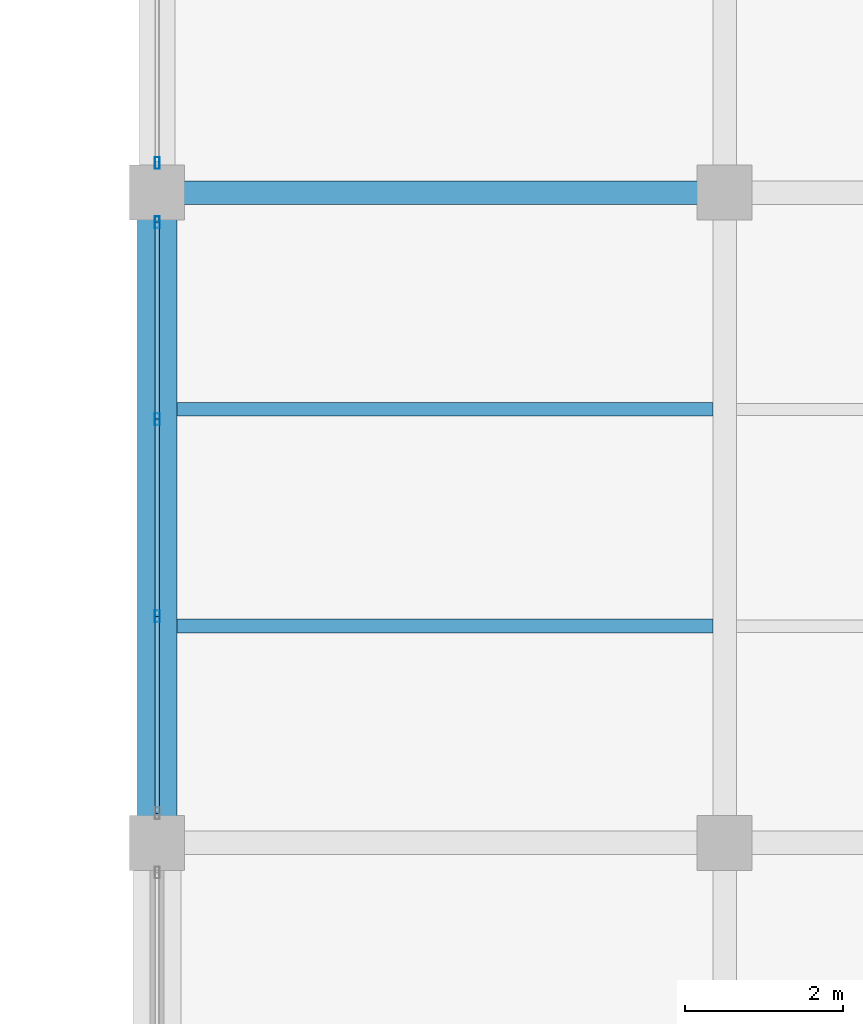
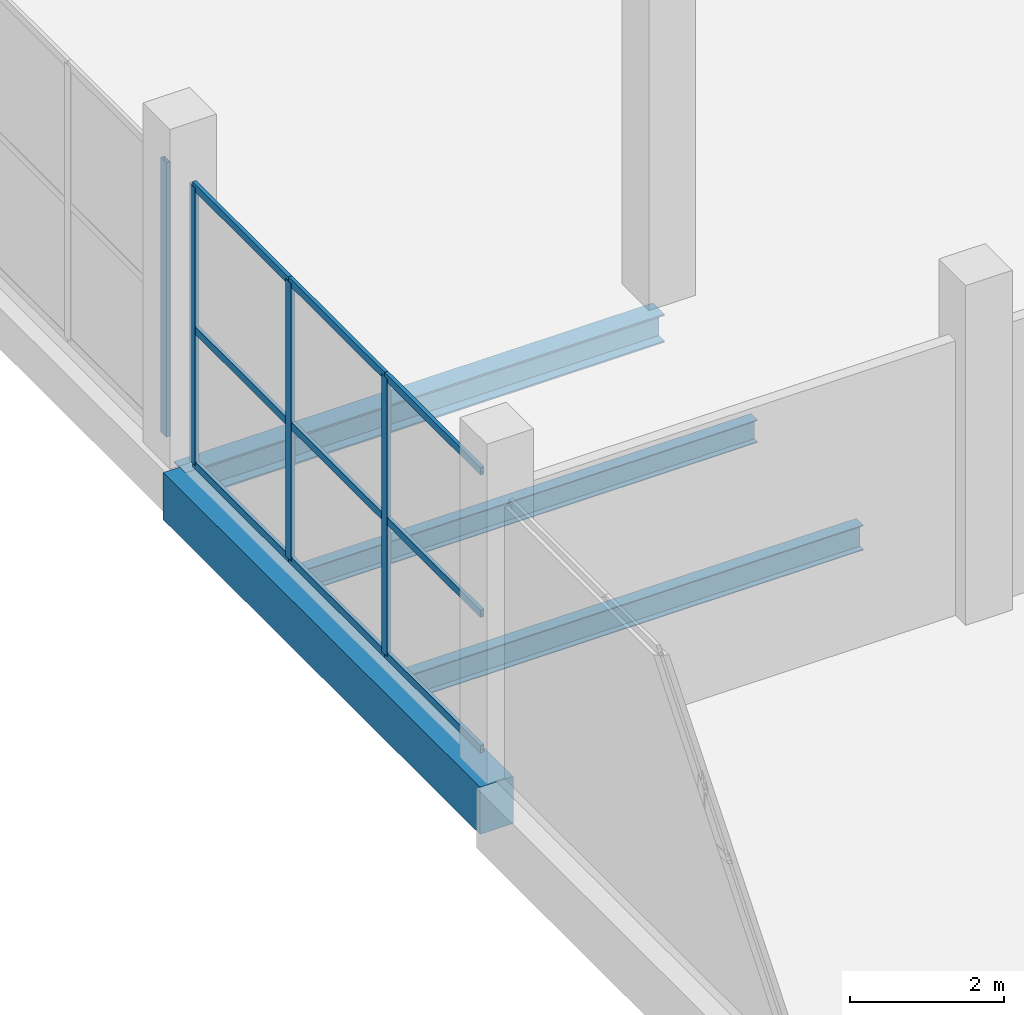
# One storey, part 109 of 147: 13 members, 4 beams, 2 elements without a shape of their own.
"""IFC4 building model written with IfcOpenShell, lengths in metres."""

import ifcopenshell
import ifcopenshell.guid

model = None  # the IFC model being written
_history = None  # IfcOwnerHistory: only IFC2X3 demands one
_inside = {}  # id of a spatial element -> (the spatial element, [elements in it])
_under = {}  # id of a project, library or spatial element -> (it, [spatial elements below it])
_declared = {}  # id of a project -> (the project, [libraries it declares])
_typed = {}  # id of a type object -> (the type object, [elements of that type])
_made_of = {}  # id of a material, layer set ... -> (it, [elements and type objects made of it])


def new_model(schema):
    """Start an empty IFC model of exactly this schema.

    Asked for "IFC4X3", IfcOpenShell would pick the latest addendum, in which some entities
    have other attributes; the version numbers below select the first issue.
    IFC2X3 requires an IfcOwnerHistory on every rooted entity: one is made here for all.
    """
    global model, _history
    if schema == "IFC4X3":
        model = ifcopenshell.file(schema_version=(4, 3, 0, 0))
    else:
        model = ifcopenshell.file(schema=schema)
    _inside.clear()
    _under.clear()
    _declared.clear()
    _typed.clear()
    _made_of.clear()
    _history = None
    if model.schema == "IFC2X3":
        org = make("IfcOrganization", Name="unknown")
        user = make(
            "IfcPersonAndOrganization",
            ThePerson=make("IfcPerson", FamilyName="unknown"),
            TheOrganization=org,
        )
        app = make(
            "IfcApplication",
            ApplicationDeveloper=org,
            Version="unknown",
            ApplicationFullName="unknown",
            ApplicationIdentifier="unknown",
        )
        _history = make(
            "IfcOwnerHistory",
            OwningUser=user,
            OwningApplication=app,
            ChangeAction="ADDED",
            CreationDate=0,
        )
    return model


def make(cls, **values):
    """One entity of the class cls with the attributes given. An attribute that is None is left unset."""
    return model.create_entity(
        cls, **{name: value for name, value in values.items() if value is not None}
    )


def rooted(cls, **values):
    """An entity with a GlobalId (a new one), such as an element, a storey or a relation."""
    return make(cls, GlobalId=ifcopenshell.guid.new(), OwnerHistory=_history, **values)


def si_unit(unit_type, name, prefix=None):
    """IfcSIUnit, for example si_unit("LENGTHUNIT", "METRE", prefix="MILLI")."""
    return make("IfcSIUnit", UnitType=unit_type, Prefix=prefix, Name=name)


def assignment(units):
    """IfcUnitAssignment: the units of a project."""
    return None if units is None else make("IfcUnitAssignment", Units=units)


def point(xyz):
    """IfcCartesianPoint."""
    return None if xyz is None else make("IfcCartesianPoint", Coordinates=xyz)


def direction(xyz):
    """IfcDirection."""
    return None if xyz is None else make("IfcDirection", DirectionRatios=xyz)


def frame(location, z_axis=None, x_axis=None):
    """IfcAxis2Placement3D, a coordinate frame: its origin and axes. An axis left out is left unset."""
    return make(
        "IfcAxis2Placement3D",
        Location=point(location),
        Axis=direction(z_axis),
        RefDirection=direction(x_axis),
    )


def frame_2d(location, x_axis=None):
    """IfcAxis2Placement2D, a coordinate frame in the plane: its origin and x axis."""
    return make(
        "IfcAxis2Placement2D", Location=point(location), RefDirection=direction(x_axis)
    )


def origin():
    """The frame at (0, 0, 0) with its axes left unset."""
    return frame((0.0, 0.0, 0.0))


def origin_2d():
    """The frame at (0, 0) in the plane with its x axis left unset."""
    return frame_2d((0.0, 0.0))


def place(relative_to, where):
    """IfcLocalPlacement: puts the frame where relative to a parent placement (None: the world)."""
    return make(
        "IfcLocalPlacement", PlacementRelTo=relative_to, RelativePlacement=where
    )


def context(
    kind, dimensions, precision=None, world=None, true_north=None, identifier=None
):
    """IfcGeometricRepresentationContext, for example the 3D "Model" context."""
    return make(
        "IfcGeometricRepresentationContext",
        ContextIdentifier=identifier,
        ContextType=kind,
        CoordinateSpaceDimension=dimensions,
        Precision=precision,
        WorldCoordinateSystem=world,
        TrueNorth=true_north,
    )


def subcontext(parent, identifier, kind, view, scale=None):
    """IfcGeometricRepresentationSubContext, for example "Body" below "Model"."""
    return make(
        "IfcGeometricRepresentationSubContext",
        ContextIdentifier=identifier,
        ContextType=kind,
        ParentContext=parent,
        TargetScale=scale,
        TargetView=view,
    )


def project(units=None, contexts=None):
    """IfcProject with its units and contexts."""
    return rooted(
        "IfcProject",
        Name="project",
        RepresentationContexts=contexts,
        UnitsInContext=assignment(units),
    )


def spatial(cls, under=None, at=None, **own):
    """A site, building, storey or space (cls), placed at a placement, below another one or the project."""
    s = rooted(cls, ObjectPlacement=at, **own)
    if under is not None:
        _under.setdefault(under.id(), (under, []))[1].append(s)
    return s


def profile(cls, at=None, kind="AREA", **sizes):
    """A parametric profile (cls). Its sizes go by their IFC names, for example OverallWidth=200.0."""
    return make(cls, ProfileType=kind, Position=at, **sizes)


def rectangle(**sizes):
    """IfcRectangleProfileDef."""
    return profile("IfcRectangleProfileDef", **sizes)


def hollow_rectangle(**sizes):
    """IfcRectangleHollowProfileDef."""
    return profile("IfcRectangleHollowProfileDef", **sizes)


def i_section(**sizes):
    """IfcIShapeProfileDef."""
    return profile("IfcIShapeProfileDef", **sizes)


def extrude(swept, where, along, depth):
    """IfcExtrudedAreaSolid: the profile swept, set in the frame where, extruded along a direction by depth."""
    return make(
        "IfcExtrudedAreaSolid",
        SweptArea=swept,
        Position=where,
        ExtrudedDirection=direction(along),
        Depth=depth,
    )


def shape(context_of_items, identifier, shape_type, items):
    """IfcShapeRepresentation: the items that make up one representation, for example the "Body"."""
    return make(
        "IfcShapeRepresentation",
        ContextOfItems=context_of_items,
        RepresentationIdentifier=identifier,
        RepresentationType=shape_type,
        Items=items,
    )


def material(Name=None, Category=None):
    """IfcMaterial."""
    return make("IfcMaterial", Name=Name, Category=Category)


def layer(
    of_material, thickness, ventilated=None, Name=None, Category=None, Priority=None
):
    """IfcMaterialLayer: one layer of a wall or slab, of a material (None: an air gap)."""
    return make(
        "IfcMaterialLayer",
        Material=of_material,
        LayerThickness=thickness,
        IsVentilated=ventilated,
        Name=Name,
        Category=Category,
        Priority=Priority,
    )


def layer_set(layers, Name=None):
    """IfcMaterialLayerSet."""
    return make("IfcMaterialLayerSet", MaterialLayers=layers, LayerSetName=Name)


def material_profile(
    of_material, cross_section, Name=None, Category=None, Priority=None
):
    """IfcMaterialProfile: a cross section and its material."""
    return make(
        "IfcMaterialProfile",
        Name=Name,
        Material=of_material,
        Profile=cross_section,
        Priority=Priority,
        Category=Category,
    )


def profile_set(profiles, Name=None, composite=None):
    """IfcMaterialProfileSet."""
    return make(
        "IfcMaterialProfileSet",
        Name=Name,
        MaterialProfiles=profiles,
        CompositeProfile=composite,
    )


def made_of(thing, what):
    """Note that an element or type object is made of a material, layer set ...; save() writes the relation."""
    if what is not None:
        _made_of.setdefault(what.id(), (what, []))[1].append(thing)
    return thing


def type_object(cls, material=None, **own):
    """A type object (cls), such as IfcWallType, which elements share."""
    return made_of(rooted(cls, **own), material)


def element(
    cls,
    number,
    at=None,
    inside=None,
    cuts=None,
    type_object=None,
    material=None,
    context=None,
    identifier="Body",
    shape_type=None,
    held_by="IfcProductDefinitionShape",
    body=None,
    shapes=None,
    **own,
):
    """One element of the class cls, such as IfcWall. Its Tag is "e" and its number.

    at: its placement. inside: the storey or other place that contains it. cuts: it is an
    opening in that element (IfcRelVoidsElement). A single representation is given by context,
    identifier, shape_type and body (its items); several are given by shapes. held_by: the class
    of the entity that holds the representations. save() writes the other relations.
    """
    e = rooted(cls, Tag="e%d" % number, ObjectPlacement=at, **own)
    if body is not None:
        shapes = [shape(context, identifier, shape_type, body)]
    if shapes is not None:
        e.Representation = make(held_by, Representations=shapes)
    if inside is not None:
        _inside.setdefault(inside.id(), (inside, []))[1].append(e)
    if cuts is not None:
        rooted(
            "IfcRelVoidsElement", RelatingBuildingElement=cuts, RelatedOpeningElement=e
        )
    if type_object is not None:
        _typed.setdefault(type_object.id(), (type_object, []))[1].append(e)
    return made_of(e, material)


def aggregate(whole, parts):
    """IfcRelAggregates: a whole, such as a stair, and the parts it consists of."""
    return rooted("IfcRelAggregates", RelatingObject=whole, RelatedObjects=parts)


def save(model, path):
    """Write the relations noted so far, then the file.

    IfcRelAggregates (storeys below a building ...), IfcRelContainedInSpatialStructure (elements
    in a storey), IfcRelDefinesByType, IfcRelAssociatesMaterial and IfcRelDeclares: one each for
    every whole, place, type object, material and project.
    """
    for whole, parts in _under.values():
        aggregate(whole, parts)
    for where, things in _inside.values():
        rooted(
            "IfcRelContainedInSpatialStructure",
            RelatedElements=things,
            RelatingStructure=where,
        )
    for kind, things in _typed.values():
        rooted("IfcRelDefinesByType", RelatedObjects=things, RelatingType=kind)
    for what, things in _made_of.values():
        rooted("IfcRelAssociatesMaterial", RelatedObjects=things, RelatingMaterial=what)
    for by, libraries in _declared.values():
        rooted("IfcRelDeclares", RelatingContext=by, RelatedDefinitions=libraries)
    model.write(path)


model = new_model("IFC4")

# Units and contexts
model_context = context("Model", 3, precision=1e-05, world=origin(), true_north=direction((0.0, 1.0)))
body_context = subcontext(model_context, "Body", "Model", "MODEL_VIEW")
ifc_project = project(units=[si_unit("LENGTHUNIT", "METRE"), si_unit("AREAUNIT", "SQUARE_METRE"), si_unit("VOLUMEUNIT", "CUBIC_METRE"), si_unit("PLANEANGLEUNIT", "RADIAN"), si_unit("MASSUNIT", "GRAM", prefix="KILO")], contexts=[model_context])

# Site, building, storey
site_placement = place(None, origin())
site = spatial("IfcSite", under=ifc_project, at=site_placement, CompositionType="ELEMENT")
building_placement = place(site_placement, origin())
building = spatial("IfcBuilding", under=site, at=building_placement, Name="Sundgate Opera House", CompositionType="ELEMENT")
storey_placement = place(building_placement, frame((0.0, 0.0, 6.0)))
storey = spatial("IfcBuildingStorey", under=building, at=storey_placement, Name="L01", CompositionType="ELEMENT", Elevation=6.0)

# Beams
ifc_material_1 = material(Name="Steel S355J2", Category="steel")
ifc_material_profile_1 = material_profile(ifc_material_1, i_section(OverallWidth=0.300048828125, OverallDepth=0.449951171875, WebThickness=0.013916015625, FlangeThickness=0.02587890625, at=origin_2d()), Name="HEB 450")
ifc_profile_set_1 = profile_set([ifc_material_profile_1], Name="Steel S355J2")
beam_type_1 = type_object("IfcBeamType", Name="BM-GR-HEB450", PredefinedType="BEAM", material=ifc_profile_set_1)
beam_1_placement = place(storey_placement, frame((153.0, 103.5, -0.52490234375), z_axis=(1.0, 0.0, 0.0), x_axis=(0.0, 1.0, 0.0)))
element("IfcBeam", 1, at=beam_1_placement, inside=storey, type_object=beam_type_1, Name="L01 Primary E-W Girder B1429", PredefinedType="BEAM", context=body_context, shape_type="SweptSolid", body=[
    extrude(i_section(OverallWidth=0.300048828125, OverallDepth=0.449951171875, WebThickness=0.013916015625, FlangeThickness=0.02587890625, at=origin_2d()), origin(), (0.0, 0.0, 1.0), 7.199951171875),
])
ifc_material_2 = material(Name="Steel S355J2", Category="steel")
ifc_material_profile_2 = material_profile(ifc_material_2, i_section(OverallWidth=0.169921875, OverallDepth=0.360107421875, WebThickness=0.008056640625, FlangeThickness=0.0126953125, at=origin_2d()), Name="IPE 360")
ifc_profile_set_2 = profile_set([ifc_material_profile_2], Name="Steel S355J2")
beam_type_2 = type_object("IfcBeamType", Name="BM-JS-IPE360", PredefinedType="JOIST", material=ifc_profile_set_2)
beam_2_placement = place(storey_placement, frame((153.25, 100.75, -0.47998046875), z_axis=(1.0, 0.0, 0.0), x_axis=(0.0, 1.0, 0.0)))
element("IfcBeam", 2, at=beam_2_placement, inside=storey, type_object=beam_type_2, Name="L01 Secondary Floor Joist B1703", PredefinedType="JOIST", context=body_context, shape_type="SweptSolid", body=[
    extrude(i_section(OverallWidth=0.169921875, OverallDepth=0.360107421875, WebThickness=0.008056640625, FlangeThickness=0.0126953125, at=origin_2d()), origin(), (0.0, 0.0, 1.0), 6.800048828125),
])
ifc_material_3 = material(Name="Steel S355J2", Category="steel")
ifc_material_profile_3 = material_profile(ifc_material_3, i_section(OverallWidth=0.179931640625, OverallDepth=0.39990234375, WebThickness=0.008544921875, FlangeThickness=0.013427734375, at=origin_2d()), Name="IPE 400")
ifc_profile_set_3 = profile_set([ifc_material_profile_3], Name="Steel S355J2")
beam_type_3 = type_object("IfcBeamType", Name="BM-JS-IPE400", PredefinedType="JOIST", material=ifc_profile_set_3)
beam_3_placement = place(storey_placement, frame((153.25, 98.0, -0.5), z_axis=(1.0, 0.0, 0.0), x_axis=(0.0, 1.0, 0.0)))
element("IfcBeam", 3, at=beam_3_placement, inside=storey, type_object=beam_type_3, Name="L01 Secondary Floor Joist B1702", PredefinedType="JOIST", context=body_context, shape_type="SweptSolid", body=[
    extrude(i_section(OverallWidth=0.179931640625, OverallDepth=0.39990234375, WebThickness=0.008544921875, FlangeThickness=0.013427734375, at=origin_2d()), origin(), (0.0, 0.0, 1.0), 6.800048828125),
])
ifc_material_4 = material(Name="Concrete C40/50", Category="concrete")
ifc_material_profile_4 = material_profile(ifc_material_4, rectangle(XDim=0.5, YDim=0.75, at=origin_2d()), Name="RC 500x750")
ifc_profile_set_4 = profile_set([ifc_material_profile_4], Name="Concrete C40/50")
beam_type_4 = type_object("IfcBeamType", Name="BM-RC-500x750", PredefinedType="BEAM", material=ifc_profile_set_4)
beam_4_placement = place(storey_placement, frame((153.0, 95.25, -0.675048828125), z_axis=(0.0, 1.0, 0.0), x_axis=(-1.0, 0.0, 0.0)))
element("IfcBeam", 4, at=beam_4_placement, inside=storey, type_object=beam_type_4, Name="L01 Primary N-S Girder B1244", PredefinedType="BEAM", context=body_context, shape_type="SweptSolid", body=[
    extrude(rectangle(XDim=0.5, YDim=0.75, at=origin_2d()), origin(), (0.0, 0.0, 1.0), 8.25),
])

# Curtain wall, members
ifc_material_5 = material(Name="Anodized aluminium and low-iron glass", Category="aluminium")
ifc_layer = layer(ifc_material_5, 0.159912109375)
ifc_layer_set = layer_set([ifc_layer], Name="Anodized aluminium and low-iron glass")
curtain_wall_type = type_object("IfcCurtainWallType", Name="CW-STUDIO-DARK", PredefinedType="NOTDEFINED", material=ifc_layer_set)
curtain_wall_1_placement = place(storey_placement, origin())
curtain_wall_1 = element("IfcCurtainWall", 5, at=curtain_wall_1_placement, inside=storey, type_object=curtain_wall_type, Name="L01 Curtain Wall CW105", PredefinedType="NOTDEFINED")
ifc_material_6 = material(Name="Anodized aluminium EN AW-6063", Category="aluminium")
ifc_material_profile_5 = material_profile(ifc_material_6, hollow_rectangle(XDim=0.06005859375, YDim=0.14990234375, WallThickness=0.00390625, at=origin_2d()), Name="CWM 150x60x4")
ifc_profile_set_5 = profile_set([ifc_material_profile_5], Name="Anodized aluminium EN AW-6063")
member_type_1 = type_object("IfcMemberType", Name="CWM-ALU-150x60", PredefinedType="MULLION", material=ifc_profile_set_5)
member_1_placement = place(storey_placement, frame((153.0, 103.125, 0.0), z_axis=(0.0, 0.0, 1.0), x_axis=(1.0, 0.0, 0.0)))
member_1 = element("IfcMember", 6, at=member_1_placement, type_object=member_type_1, Name="CW105 Mullion 1", PredefinedType="MULLION", context=body_context, shape_type="SweptSolid", body=[
    extrude(hollow_rectangle(XDim=0.06005859375, YDim=0.14990234375, WallThickness=0.00390625, at=origin_2d()), origin(), (0.0, 0.0, 1.0), 4.4150390625),
])
member_2_placement = place(storey_placement, frame((153.0, 100.625, 0.0), z_axis=(0.0, 0.0, 1.0), x_axis=(1.0, 0.0, 0.0)))
member_2 = element("IfcMember", 7, at=member_2_placement, type_object=member_type_1, Name="CW105 Mullion 2", PredefinedType="MULLION", context=body_context, shape_type="SweptSolid", body=[
    extrude(hollow_rectangle(XDim=0.06005859375, YDim=0.14990234375, WallThickness=0.00390625, at=origin_2d()), origin(), (0.0, 0.0, 1.0), 4.4150390625),
])
member_3_placement = place(storey_placement, frame((153.0, 98.125, 0.0), z_axis=(0.0, 0.0, 1.0), x_axis=(1.0, 0.0, 0.0)))
member_3 = element("IfcMember", 8, at=member_3_placement, type_object=member_type_1, Name="CW105 Mullion 3", PredefinedType="MULLION", context=body_context, shape_type="SweptSolid", body=[
    extrude(hollow_rectangle(XDim=0.06005859375, YDim=0.14990234375, WallThickness=0.00390625, at=origin_2d()), origin(), (0.0, 0.0, 1.0), 4.4150390625),
])

# Curtain wall, member
curtain_wall_2_placement = place(storey_placement, origin())
curtain_wall_2 = element("IfcCurtainWall", 9, at=curtain_wall_2_placement, inside=storey, type_object=curtain_wall_type, Name="L01 Curtain Wall CW107", PredefinedType="NOTDEFINED")
member_4_placement = place(storey_placement, frame((153.0, 103.875, 0.0), z_axis=(0.0, 0.0, 1.0), x_axis=(1.0, 0.0, 0.0)))
member_4 = element("IfcMember", 10, at=member_4_placement, type_object=member_type_1, Name="CW107 Mullion 4", PredefinedType="MULLION", context=body_context, shape_type="SweptSolid", body=[
    extrude(hollow_rectangle(XDim=0.06005859375, YDim=0.14990234375, WallThickness=0.00390625, at=origin_2d()), origin(), (0.0, 0.0, 1.0), 4.364990234375),
])
aggregate(curtain_wall_2, [member_4])

# Member
ifc_material_7 = material(Name="Anodized aluminium EN AW-6063", Category="aluminium")
ifc_material_profile_6 = material_profile(ifc_material_7, hollow_rectangle(XDim=0.054931640625, YDim=0.1201171875, WallThickness=0.00390625, at=origin_2d()), Name="CWT 120x55x4")
ifc_profile_set_6 = profile_set([ifc_material_profile_6], Name="Anodized aluminium EN AW-6063")
member_type_2 = type_object("IfcMemberType", Name="CWT-ALU-120x55", PredefinedType="USERDEFINED", material=ifc_profile_set_6)
member_5_placement = place(storey_placement, frame((153.0, 103.125, 0.0), z_axis=(0.0, -1.0, 0.0), x_axis=(1.0, 0.0, 0.0)))
member_5 = element("IfcMember", 11, at=member_5_placement, type_object=member_type_2, Name="CW105 Transom 1", ObjectType="TRANSOM", PredefinedType="USERDEFINED", context=body_context, shape_type="SweptSolid", body=[
    extrude(hollow_rectangle(XDim=0.054931640625, YDim=0.1201171875, WallThickness=0.00390625, at=origin_2d()), origin(), (0.0, 0.0, 1.0), 2.5),
])

member_6_placement = place(storey_placement, frame((153.0, 103.125, 2.14990234375), z_axis=(0.0, -1.0, 0.0), x_axis=(1.0, 0.0, 0.0)))
member_6 = element("IfcMember", 12, at=member_6_placement, type_object=member_type_2, Name="CW105 Transom 2", ObjectType="TRANSOM", PredefinedType="USERDEFINED", context=body_context, shape_type="SweptSolid", body=[
    extrude(hollow_rectangle(XDim=0.054931640625, YDim=0.1201171875, WallThickness=0.00390625, at=origin_2d()), origin(), (0.0, 0.0, 1.0), 2.5),
])

member_7_placement = place(storey_placement, frame((153.0, 103.125, 4.4150390625), z_axis=(0.0, -1.0, 0.0), x_axis=(1.0, 0.0, 0.0)))
member_7 = element("IfcMember", 13, at=member_7_placement, type_object=member_type_2, Name="CW105 Transom 3", ObjectType="TRANSOM", PredefinedType="USERDEFINED", context=body_context, shape_type="SweptSolid", body=[
    extrude(hollow_rectangle(XDim=0.054931640625, YDim=0.1201171875, WallThickness=0.00390625, at=origin_2d()), origin(), (0.0, 0.0, 1.0), 2.5),
])

member_8_placement = place(storey_placement, frame((153.0, 100.625, 0.0), z_axis=(0.0, -1.0, 0.0), x_axis=(1.0, 0.0, 0.0)))
member_8 = element("IfcMember", 14, at=member_8_placement, type_object=member_type_2, Name="CW105 Transom 4", ObjectType="TRANSOM", PredefinedType="USERDEFINED", context=body_context, shape_type="SweptSolid", body=[
    extrude(hollow_rectangle(XDim=0.054931640625, YDim=0.1201171875, WallThickness=0.00390625, at=origin_2d()), origin(), (0.0, 0.0, 1.0), 2.5),
])

member_9_placement = place(storey_placement, frame((153.0, 100.625, 2.14990234375), z_axis=(0.0, -1.0, 0.0), x_axis=(1.0, 0.0, 0.0)))
member_9 = element("IfcMember", 15, at=member_9_placement, type_object=member_type_2, Name="CW105 Transom 5", ObjectType="TRANSOM", PredefinedType="USERDEFINED", context=body_context, shape_type="SweptSolid", body=[
    extrude(hollow_rectangle(XDim=0.054931640625, YDim=0.1201171875, WallThickness=0.00390625, at=origin_2d()), origin(), (0.0, 0.0, 1.0), 2.5),
])

member_10_placement = place(storey_placement, frame((153.0, 100.625, 4.4150390625), z_axis=(0.0, -1.0, 0.0), x_axis=(1.0, 0.0, 0.0)))
member_10 = element("IfcMember", 16, at=member_10_placement, type_object=member_type_2, Name="CW105 Transom 6", ObjectType="TRANSOM", PredefinedType="USERDEFINED", context=body_context, shape_type="SweptSolid", body=[
    extrude(hollow_rectangle(XDim=0.054931640625, YDim=0.1201171875, WallThickness=0.00390625, at=origin_2d()), origin(), (0.0, 0.0, 1.0), 2.5),
])

member_11_placement = place(storey_placement, frame((153.0, 98.125, 0.0), z_axis=(0.0, -1.0, 0.0), x_axis=(1.0, 0.0, 0.0)))
member_11 = element("IfcMember", 17, at=member_11_placement, type_object=member_type_2, Name="CW105 Transom 7", ObjectType="TRANSOM", PredefinedType="USERDEFINED", context=body_context, shape_type="SweptSolid", body=[
    extrude(hollow_rectangle(XDim=0.054931640625, YDim=0.1201171875, WallThickness=0.00390625, at=origin_2d()), origin(), (0.0, 0.0, 1.0), 2.5),
])

member_12_placement = place(storey_placement, frame((153.0, 98.125, 2.14990234375), z_axis=(0.0, -1.0, 0.0), x_axis=(1.0, 0.0, 0.0)))
member_12 = element("IfcMember", 18, at=member_12_placement, type_object=member_type_2, Name="CW105 Transom 8", ObjectType="TRANSOM", PredefinedType="USERDEFINED", context=body_context, shape_type="SweptSolid", body=[
    extrude(hollow_rectangle(XDim=0.054931640625, YDim=0.1201171875, WallThickness=0.00390625, at=origin_2d()), origin(), (0.0, 0.0, 1.0), 2.5),
])

member_13_placement = place(storey_placement, frame((153.0, 98.125, 4.4150390625), z_axis=(0.0, -1.0, 0.0), x_axis=(1.0, 0.0, 0.0)))
member_13 = element("IfcMember", 19, at=member_13_placement, type_object=member_type_2, Name="CW105 Transom 9", ObjectType="TRANSOM", PredefinedType="USERDEFINED", context=body_context, shape_type="SweptSolid", body=[
    extrude(hollow_rectangle(XDim=0.054931640625, YDim=0.1201171875, WallThickness=0.00390625, at=origin_2d()), origin(), (0.0, 0.0, 1.0), 2.5),
])

aggregate(curtain_wall_1, [member_1, member_2, member_3, member_5, member_6, member_7, member_8, member_9, member_10, member_11, member_12, member_13])

save(model, "model.ifc")
